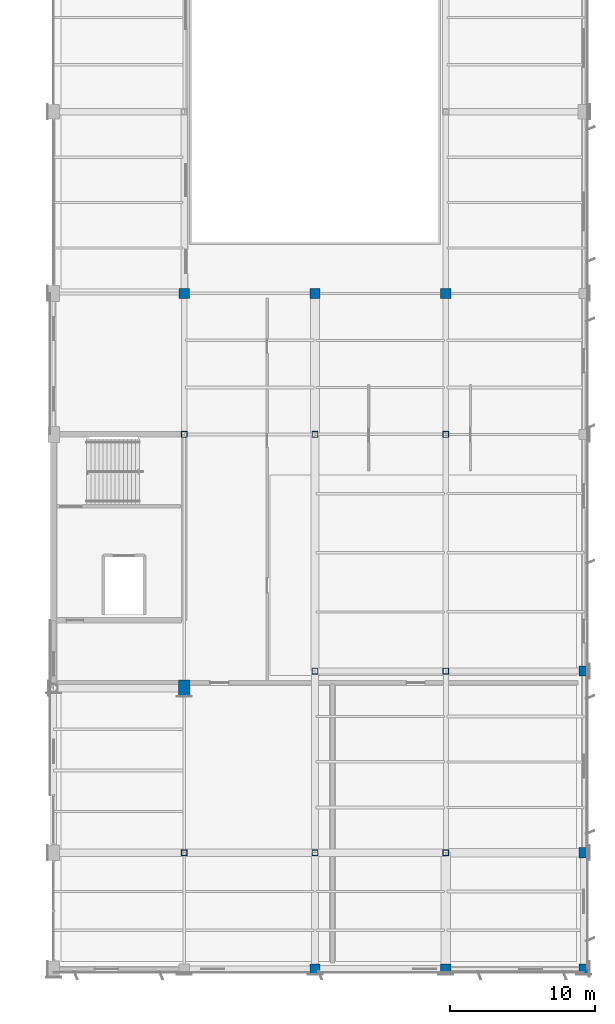
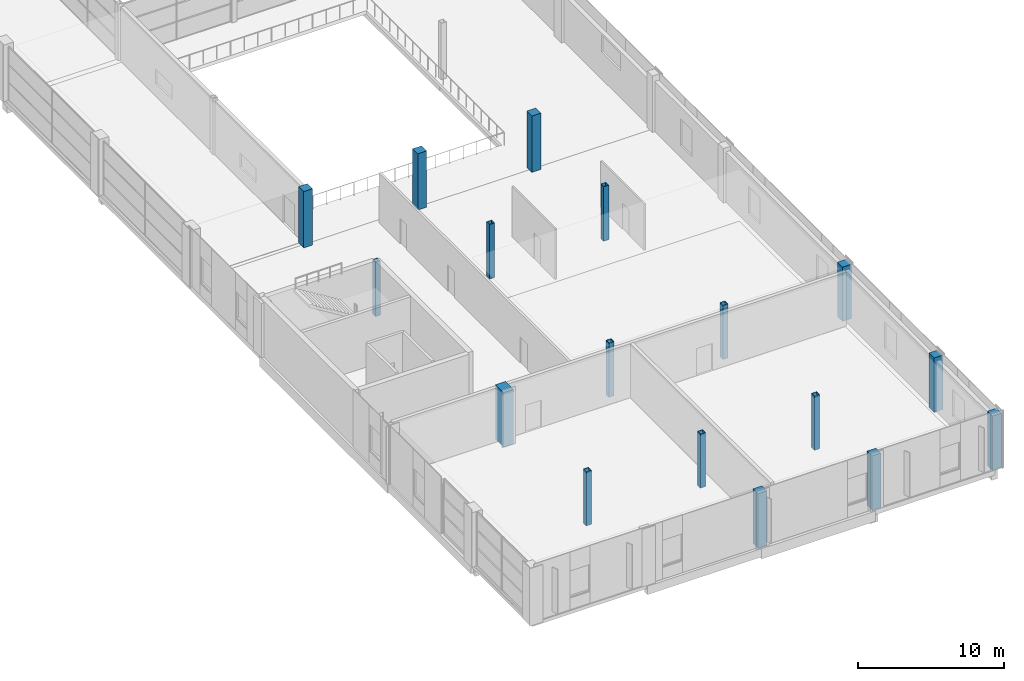
# One storey, part 7 of 112: 17 columns.
"""IFC4 building model written with IfcOpenShell, lengths in metres."""

import ifcopenshell
import ifcopenshell.guid

model = None  # the IFC model being written
_history = None  # IfcOwnerHistory: only IFC2X3 demands one
_inside = {}  # id of a spatial element -> (the spatial element, [elements in it])
_under = {}  # id of a project, library or spatial element -> (it, [spatial elements below it])
_declared = {}  # id of a project -> (the project, [libraries it declares])
_typed = {}  # id of a type object -> (the type object, [elements of that type])
_made_of = {}  # id of a material, layer set ... -> (it, [elements and type objects made of it])


def new_model(schema):
    """Start an empty IFC model of exactly this schema.

    Asked for "IFC4X3", IfcOpenShell would pick the latest addendum, in which some entities
    have other attributes; the version numbers below select the first issue.
    IFC2X3 requires an IfcOwnerHistory on every rooted entity: one is made here for all.
    """
    global model, _history
    if schema == "IFC4X3":
        model = ifcopenshell.file(schema_version=(4, 3, 0, 0))
    else:
        model = ifcopenshell.file(schema=schema)
    _inside.clear()
    _under.clear()
    _declared.clear()
    _typed.clear()
    _made_of.clear()
    _history = None
    if model.schema == "IFC2X3":
        org = make("IfcOrganization", Name="unknown")
        user = make(
            "IfcPersonAndOrganization",
            ThePerson=make("IfcPerson", FamilyName="unknown"),
            TheOrganization=org,
        )
        app = make(
            "IfcApplication",
            ApplicationDeveloper=org,
            Version="unknown",
            ApplicationFullName="unknown",
            ApplicationIdentifier="unknown",
        )
        _history = make(
            "IfcOwnerHistory",
            OwningUser=user,
            OwningApplication=app,
            ChangeAction="ADDED",
            CreationDate=0,
        )
    return model


def make(cls, **values):
    """One entity of the class cls with the attributes given. An attribute that is None is left unset."""
    return model.create_entity(
        cls, **{name: value for name, value in values.items() if value is not None}
    )


def rooted(cls, **values):
    """An entity with a GlobalId (a new one), such as an element, a storey or a relation."""
    return make(cls, GlobalId=ifcopenshell.guid.new(), OwnerHistory=_history, **values)


def si_unit(unit_type, name, prefix=None):
    """IfcSIUnit, for example si_unit("LENGTHUNIT", "METRE", prefix="MILLI")."""
    return make("IfcSIUnit", UnitType=unit_type, Prefix=prefix, Name=name)


def assignment(units):
    """IfcUnitAssignment: the units of a project."""
    return None if units is None else make("IfcUnitAssignment", Units=units)


def point(xyz):
    """IfcCartesianPoint."""
    return None if xyz is None else make("IfcCartesianPoint", Coordinates=xyz)


def direction(xyz):
    """IfcDirection."""
    return None if xyz is None else make("IfcDirection", DirectionRatios=xyz)


def frame(location, z_axis=None, x_axis=None):
    """IfcAxis2Placement3D, a coordinate frame: its origin and axes. An axis left out is left unset."""
    return make(
        "IfcAxis2Placement3D",
        Location=point(location),
        Axis=direction(z_axis),
        RefDirection=direction(x_axis),
    )


def frame_2d(location, x_axis=None):
    """IfcAxis2Placement2D, a coordinate frame in the plane: its origin and x axis."""
    return make(
        "IfcAxis2Placement2D", Location=point(location), RefDirection=direction(x_axis)
    )


def origin():
    """The frame at (0, 0, 0) with its axes left unset."""
    return frame((0.0, 0.0, 0.0))


def origin_2d():
    """The frame at (0, 0) in the plane with its x axis left unset."""
    return frame_2d((0.0, 0.0))


def place(relative_to, where):
    """IfcLocalPlacement: puts the frame where relative to a parent placement (None: the world)."""
    return make(
        "IfcLocalPlacement", PlacementRelTo=relative_to, RelativePlacement=where
    )


def context(
    kind, dimensions, precision=None, world=None, true_north=None, identifier=None
):
    """IfcGeometricRepresentationContext, for example the 3D "Model" context."""
    return make(
        "IfcGeometricRepresentationContext",
        ContextIdentifier=identifier,
        ContextType=kind,
        CoordinateSpaceDimension=dimensions,
        Precision=precision,
        WorldCoordinateSystem=world,
        TrueNorth=true_north,
    )


def subcontext(parent, identifier, kind, view, scale=None):
    """IfcGeometricRepresentationSubContext, for example "Body" below "Model"."""
    return make(
        "IfcGeometricRepresentationSubContext",
        ContextIdentifier=identifier,
        ContextType=kind,
        ParentContext=parent,
        TargetScale=scale,
        TargetView=view,
    )


def project(units=None, contexts=None):
    """IfcProject with its units and contexts."""
    return rooted(
        "IfcProject",
        Name="project",
        RepresentationContexts=contexts,
        UnitsInContext=assignment(units),
    )


def spatial(cls, under=None, at=None, **own):
    """A site, building, storey or space (cls), placed at a placement, below another one or the project."""
    s = rooted(cls, ObjectPlacement=at, **own)
    if under is not None:
        _under.setdefault(under.id(), (under, []))[1].append(s)
    return s


def profile(cls, at=None, kind="AREA", **sizes):
    """A parametric profile (cls). Its sizes go by their IFC names, for example OverallWidth=200.0."""
    return make(cls, ProfileType=kind, Position=at, **sizes)


def rectangle(**sizes):
    """IfcRectangleProfileDef."""
    return profile("IfcRectangleProfileDef", **sizes)


def hollow_rectangle(**sizes):
    """IfcRectangleHollowProfileDef."""
    return profile("IfcRectangleHollowProfileDef", **sizes)


def extrude(swept, where, along, depth):
    """IfcExtrudedAreaSolid: the profile swept, set in the frame where, extruded along a direction by depth."""
    return make(
        "IfcExtrudedAreaSolid",
        SweptArea=swept,
        Position=where,
        ExtrudedDirection=direction(along),
        Depth=depth,
    )


def shape(context_of_items, identifier, shape_type, items):
    """IfcShapeRepresentation: the items that make up one representation, for example the "Body"."""
    return make(
        "IfcShapeRepresentation",
        ContextOfItems=context_of_items,
        RepresentationIdentifier=identifier,
        RepresentationType=shape_type,
        Items=items,
    )


def material(Name=None, Category=None):
    """IfcMaterial."""
    return make("IfcMaterial", Name=Name, Category=Category)


def material_profile(
    of_material, cross_section, Name=None, Category=None, Priority=None
):
    """IfcMaterialProfile: a cross section and its material."""
    return make(
        "IfcMaterialProfile",
        Name=Name,
        Material=of_material,
        Profile=cross_section,
        Priority=Priority,
        Category=Category,
    )


def profile_set(profiles, Name=None, composite=None):
    """IfcMaterialProfileSet."""
    return make(
        "IfcMaterialProfileSet",
        Name=Name,
        MaterialProfiles=profiles,
        CompositeProfile=composite,
    )


def made_of(thing, what):
    """Note that an element or type object is made of a material, layer set ...; save() writes the relation."""
    if what is not None:
        _made_of.setdefault(what.id(), (what, []))[1].append(thing)
    return thing


def type_object(cls, material=None, **own):
    """A type object (cls), such as IfcWallType, which elements share."""
    return made_of(rooted(cls, **own), material)


def element(
    cls,
    number,
    at=None,
    inside=None,
    cuts=None,
    type_object=None,
    material=None,
    context=None,
    identifier="Body",
    shape_type=None,
    held_by="IfcProductDefinitionShape",
    body=None,
    shapes=None,
    **own,
):
    """One element of the class cls, such as IfcWall. Its Tag is "e" and its number.

    at: its placement. inside: the storey or other place that contains it. cuts: it is an
    opening in that element (IfcRelVoidsElement). A single representation is given by context,
    identifier, shape_type and body (its items); several are given by shapes. held_by: the class
    of the entity that holds the representations. save() writes the other relations.
    """
    e = rooted(cls, Tag="e%d" % number, ObjectPlacement=at, **own)
    if body is not None:
        shapes = [shape(context, identifier, shape_type, body)]
    if shapes is not None:
        e.Representation = make(held_by, Representations=shapes)
    if inside is not None:
        _inside.setdefault(inside.id(), (inside, []))[1].append(e)
    if cuts is not None:
        rooted(
            "IfcRelVoidsElement", RelatingBuildingElement=cuts, RelatedOpeningElement=e
        )
    if type_object is not None:
        _typed.setdefault(type_object.id(), (type_object, []))[1].append(e)
    return made_of(e, material)


def aggregate(whole, parts):
    """IfcRelAggregates: a whole, such as a stair, and the parts it consists of."""
    return rooted("IfcRelAggregates", RelatingObject=whole, RelatedObjects=parts)


def save(model, path):
    """Write the relations noted so far, then the file.

    IfcRelAggregates (storeys below a building ...), IfcRelContainedInSpatialStructure (elements
    in a storey), IfcRelDefinesByType, IfcRelAssociatesMaterial and IfcRelDeclares: one each for
    every whole, place, type object, material and project.
    """
    for whole, parts in _under.values():
        aggregate(whole, parts)
    for where, things in _inside.values():
        rooted(
            "IfcRelContainedInSpatialStructure",
            RelatedElements=things,
            RelatingStructure=where,
        )
    for kind, things in _typed.values():
        rooted("IfcRelDefinesByType", RelatedObjects=things, RelatingType=kind)
    for what, things in _made_of.values():
        rooted("IfcRelAssociatesMaterial", RelatedObjects=things, RelatingMaterial=what)
    for by, libraries in _declared.values():
        rooted("IfcRelDeclares", RelatingContext=by, RelatedDefinitions=libraries)
    model.write(path)


model = new_model("IFC4")

# Units and contexts
model_context = context("Model", 3, precision=1e-05, world=origin(), true_north=direction((0.0, 1.0)))
body_context = subcontext(model_context, "Body", "Model", "MODEL_VIEW")
ifc_project = project(units=[si_unit("LENGTHUNIT", "METRE"), si_unit("AREAUNIT", "SQUARE_METRE"), si_unit("VOLUMEUNIT", "CUBIC_METRE"), si_unit("PLANEANGLEUNIT", "RADIAN"), si_unit("MASSUNIT", "GRAM", prefix="KILO")], contexts=[model_context])

# Site, building, storey
site_placement = place(None, origin())
site = spatial("IfcSite", under=ifc_project, at=site_placement, CompositionType="ELEMENT")
building_placement = place(site_placement, origin())
building = spatial("IfcBuilding", under=site, at=building_placement, Name="Solvikara Media Centre", CompositionType="ELEMENT")
storey_placement = place(building_placement, frame((0.0, 0.0, 5.39990234375)))
storey = spatial("IfcBuildingStorey", under=building, at=storey_placement, Name="L01", CompositionType="ELEMENT", Elevation=5.39990234375)

# Columns
ifc_material_1 = material(Name="Concrete fc' 45 MPa (C45/55)", Category="concrete")
ifc_material_profile_1 = material_profile(ifc_material_1, rectangle(XDim=0.699951171875, YDim=0.699951171875, at=origin_2d()), Name="RC 700x700")
ifc_profile_set_1 = profile_set([ifc_material_profile_1], Name="Concrete fc' 45 MPa (C45/55)")
column_type_1 = type_object("IfcColumnType", Name="CL-15", PredefinedType="COLUMN", material=ifc_profile_set_1)
column_1_placement = place(storey_placement, frame((136.5, 46.5, 0.0), z_axis=(0.0, 0.0, 1.0), x_axis=(1.0, 0.0, 0.0)))
element("IfcColumn", 1, at=column_1_placement, inside=storey, type_object=column_type_1, Name="C-L01-1365-0465", PredefinedType="COLUMN", context=body_context, shape_type="SweptSolid", body=[
    extrude(rectangle(XDim=0.699951171875, YDim=0.699951171875, at=origin_2d()), origin(), (0.0, 0.0, 1.0), 4.7001953125),
])
column_2_placement = place(storey_placement, frame((145.5, 0.0, 0.0), z_axis=(0.0, 0.0, 1.0), x_axis=(1.0, 0.0, 0.0)))
element("IfcColumn", 2, at=column_2_placement, inside=storey, type_object=column_type_1, Name="C-L01-1455-0000", PredefinedType="COLUMN", context=body_context, shape_type="SweptSolid", body=[
    extrude(rectangle(XDim=0.699951171875, YDim=0.699951171875, at=origin_2d()), origin(), (0.0, 0.0, 1.0), 4.5400390625),
])
column_3_placement = place(storey_placement, frame((145.5, 46.5, 0.0), z_axis=(0.0, 0.0, 1.0), x_axis=(1.0, 0.0, 0.0)))
element("IfcColumn", 3, at=column_3_placement, inside=storey, type_object=column_type_1, Name="C-L01-1455-0465", PredefinedType="COLUMN", context=body_context, shape_type="SweptSolid", body=[
    extrude(rectangle(XDim=0.699951171875, YDim=0.699951171875, at=origin_2d()), origin(), (0.0, 0.0, 1.0), 4.7001953125),
])
column_4_placement = place(storey_placement, frame((154.5, 0.0, 0.0), z_axis=(0.0, 0.0, 1.0), x_axis=(1.0, 0.0, 0.0)))
element("IfcColumn", 4, at=column_4_placement, inside=storey, type_object=column_type_1, Name="C-L01-1545-0000", PredefinedType="COLUMN", context=body_context, shape_type="SweptSolid", body=[
    extrude(rectangle(XDim=0.699951171875, YDim=0.699951171875, at=origin_2d()), origin(), (0.0, 0.0, 1.0), 4.5400390625),
])
column_5_placement = place(storey_placement, frame((154.5, 46.5, 0.0), z_axis=(0.0, 0.0, 1.0), x_axis=(1.0, 0.0, 0.0)))
element("IfcColumn", 5, at=column_5_placement, inside=storey, type_object=column_type_1, Name="C-L01-1545-0465", PredefinedType="COLUMN", context=body_context, shape_type="SweptSolid", body=[
    extrude(rectangle(XDim=0.699951171875, YDim=0.699951171875, at=origin_2d()), origin(), (0.0, 0.0, 1.0), 4.7001953125),
])
for number, where, z_axis, x_axis, name in (
    (6, (164.0, 0.0, 0.0), (0.0, 0.0, 1.0), (1.0, 0.0, 0.0), "C-L01-1640-0000"),
    (7, (164.0, 8.0, 0.0), (0.0, 0.0, 1.0), (1.0, 0.0, 0.0), "C-L01-1640-0080"),
    (8, (164.0, 20.5, 0.0), (0.0, 0.0, 1.0), (1.0, 0.0, 0.0), "C-L01-1640-0205"),
):
    element("IfcColumn", number, at=place(storey_placement, frame(where, z_axis=z_axis, x_axis=x_axis)), inside=storey, type_object=column_type_1, Name=name, PredefinedType="COLUMN", context=body_context, shape_type="SweptSolid", body=[
        extrude(rectangle(XDim=0.699951171875, YDim=0.699951171875, at=origin_2d()), origin(), (0.0, 0.0, 1.0), 4.5400390625),
    ])
ifc_material_profile_2 = material_profile(ifc_material_1, rectangle(XDim=0.800048828125, YDim=1.10009765625, at=origin_2d()), Name="RC 800x1100")
ifc_profile_set_2 = profile_set([ifc_material_profile_2], Name="Concrete fc' 45 MPa (C45/55)")
column_type_2 = type_object("IfcColumnType", Name="CL-17", PredefinedType="COLUMN", material=ifc_profile_set_2)
column_6_placement = place(storey_placement, frame((136.5, 19.323974609375, 0.0), z_axis=(0.0, 0.0, 1.0), x_axis=(1.0, 0.0, 0.0)))
element("IfcColumn", 9, at=column_6_placement, inside=storey, type_object=column_type_2, Name="C-L01-1365-0193", PredefinedType="COLUMN", context=body_context, shape_type="SweptSolid", body=[
    extrude(rectangle(XDim=0.800048828125, YDim=1.10009765625, at=origin_2d()), origin(), (0.0, 0.0, 1.0), 4.5400390625),
])
ifc_material_2 = material(Name="Steel S355JR", Category="steel")
ifc_material_profile_3 = material_profile(ifc_material_2, hollow_rectangle(XDim=0.39990234375, YDim=0.39990234375, WallThickness=0.01611328125, at=origin_2d()), Name="RHS 400x400x16")
ifc_profile_set_3 = profile_set([ifc_material_profile_3], Name="Steel S355JR")
column_type_3 = type_object("IfcColumnType", Name="CL-27", PredefinedType="COLUMN", material=ifc_profile_set_3)
for number, where, z_axis, x_axis, name in (
    (10, (136.5, 8.0, 0.0), (0.0, 0.0, 1.0), (1.0, 0.0, 0.0), "C-L01-1365-0080"),
    (11, (136.5, 36.800048828125, 0.0), (0.0, 0.0, 1.0), (1.0, 0.0, 0.0), "C-L01-1365-0368"),
    (12, (145.5, 8.0, 0.0), (0.0, 0.0, 1.0), (1.0, 0.0, 0.0), "C-L01-1455-0080"),
    (13, (145.5, 20.5, 0.0), (0.0, 0.0, 1.0), (1.0, 0.0, 0.0), "C-L01-1455-0205"),
    (14, (145.5, 36.800048828125, 0.0), (0.0, 0.0, 1.0), (1.0, 0.0, 0.0), "C-L01-1455-0368"),
    (15, (154.5, 8.0, 0.0), (0.0, 0.0, 1.0), (1.0, 0.0, 0.0), "C-L01-1545-0080"),
    (16, (154.5, 20.5, 0.0), (0.0, 0.0, 1.0), (1.0, 0.0, 0.0), "C-L01-1545-0205"),
    (17, (154.5, 36.800048828125, 0.0), (0.0, 0.0, 1.0), (1.0, 0.0, 0.0), "C-L01-1545-0368"),
):
    element("IfcColumn", number, at=place(storey_placement, frame(where, z_axis=z_axis, x_axis=x_axis)), inside=storey, type_object=column_type_3, Name=name, PredefinedType="COLUMN", context=body_context, shape_type="SweptSolid", body=[
        extrude(hollow_rectangle(XDim=0.39990234375, YDim=0.39990234375, WallThickness=0.01611328125, at=origin_2d()), origin(), (0.0, 0.0, 1.0), 4.5400390625),
    ])

save(model, "model.ifc")
